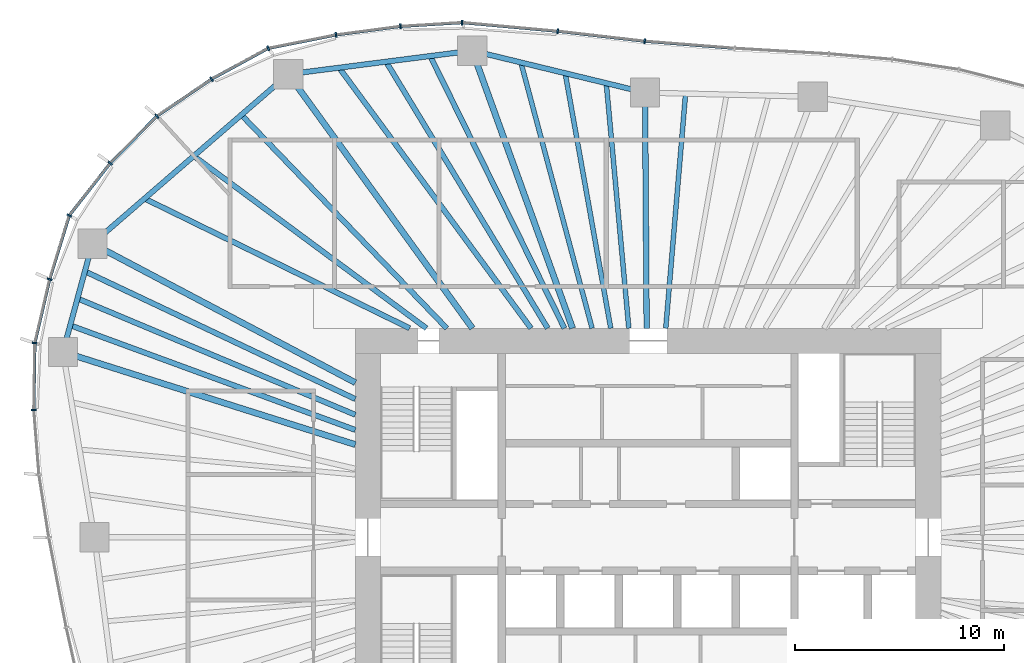
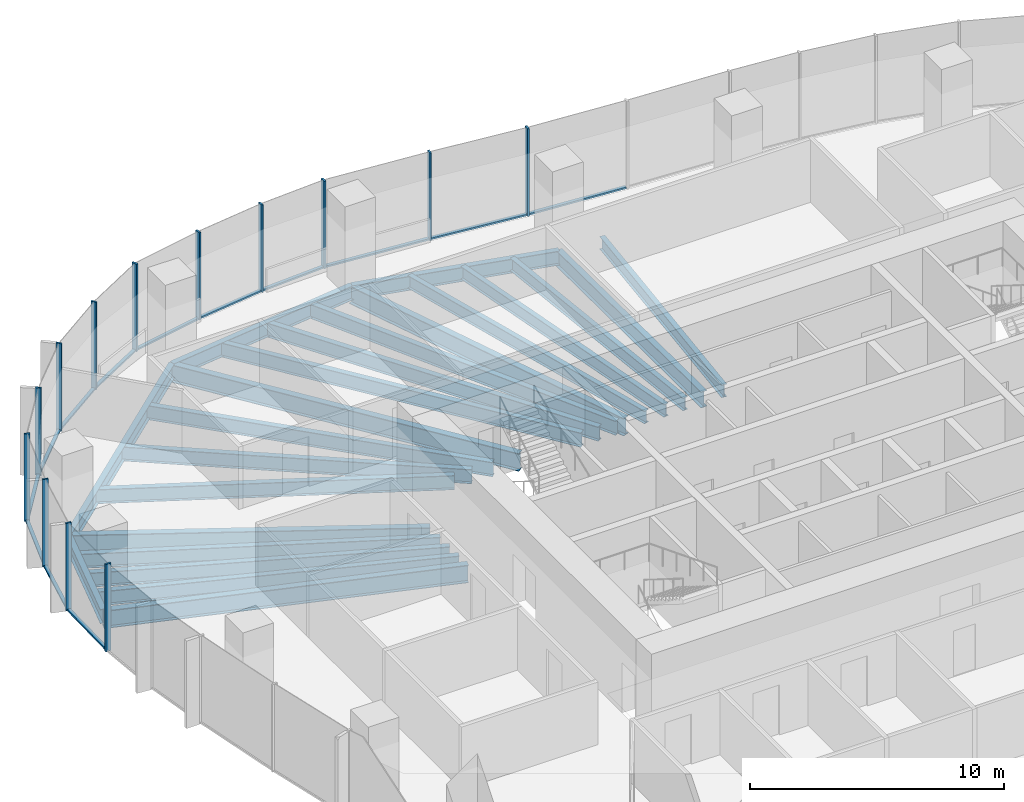
# One storey, part 5 of 18: 26 members, 22 beams, 6 elements without a shape of their own.
"""IFC4 building model written with IfcOpenShell, lengths in metres."""

from ifc_helpers import new_model, si_unit, direction, frame, origin, origin_2d, place, context, subcontext, project, spatial, rectangle, i_section, extrude, material, material_profile, profile_set, type_object, element, aggregate, save


model = new_model("IFC4")

# Units and contexts
model_context = context("Model", 3, precision=1e-05, world=origin(), true_north=direction((0.0, 1.0)))
body_context = subcontext(model_context, "Body", "Model", "MODEL_VIEW")
ifc_project = project(units=[si_unit("LENGTHUNIT", "METRE"), si_unit("AREAUNIT", "SQUARE_METRE"), si_unit("VOLUMEUNIT", "CUBIC_METRE"), si_unit("PLANEANGLEUNIT", "RADIAN"), si_unit("MASSUNIT", "GRAM", prefix="KILO")], contexts=[model_context])

# Site, building, storey
site_placement = place(None, origin())
site = spatial("IfcSite", under=ifc_project, at=site_placement, CompositionType="ELEMENT")
building_placement = place(site_placement, origin())
building = spatial("IfcBuilding", under=site, at=building_placement, Name="Ghaith Harvest Tower", CompositionType="ELEMENT")
storey_placement = place(building_placement, frame((0.0, 0.0, 176.39990234375)))
storey = spatial("IfcBuildingStorey", under=building, at=storey_placement, Name="L38", CompositionType="ELEMENT", Elevation=176.39990234375)

# Curtain wall, members
ifc_material_1 = material(Name="Black anodised aluminium and fritted glass", Category="aluminium")
curtain_wall_type = type_object("IfcCurtainWallType", Name="CW-L CURTAIN WALL", PredefinedType="NOTDEFINED", material=ifc_material_1)
curtain_wall_1_placement = place(storey_placement, origin())
curtain_wall_1 = element("IfcCurtainWall", 1, at=curtain_wall_1_placement, inside=storey, type_object=curtain_wall_type, Name="Curtain wall CW-L bay 06 L38", PredefinedType="NOTDEFINED")
ifc_material_2 = material(Name="Aluminium, black anodised", Category="aluminium")
ifc_material_profile_1 = material_profile(ifc_material_2, rectangle(XDim=0.080078125, YDim=0.239990234375, at=origin_2d()), Name="CW-L MULLION 80x240")
ifc_profile_set_1 = profile_set([ifc_material_profile_1], Name="Aluminium, black anodised")
member_type_1 = type_object("IfcMemberType", Name="CW-L MULLION 80x240", PredefinedType="MULLION", material=ifc_profile_set_1)
member_1_placement = place(storey_placement, frame((-0.162353515625, 23.729736328125, 0.0), z_axis=(0.0, 0.0, 1.0), x_axis=(-0.995388088953, 0.095929934691, 0.0)))
member_1 = element("IfcMember", 2, at=member_1_placement, type_object=member_type_1, Name="CW-L mullion 1 bay 06 L38", PredefinedType="MULLION", context=body_context, shape_type="SweptSolid", body=[
    extrude(rectangle(XDim=0.080078125, YDim=0.239990234375, at=origin_2d()), origin(), (0.0, 0.0, 1.0), 4.2001953125),
])
member_2_placement = place(storey_placement, frame((-4.322998046875, 24.207275390625, 0.0), z_axis=(0.0, 0.0, 1.0), x_axis=(-0.994830371571, 0.101550636625, 0.0)))
member_2 = element("IfcMember", 3, at=member_2_placement, type_object=member_type_1, Name="CW-L mullion 2 bay 06 L38", PredefinedType="MULLION", context=body_context, shape_type="SweptSolid", body=[
    extrude(rectangle(XDim=0.080078125, YDim=0.239990234375, at=origin_2d()), origin(), (0.0, 0.0, 1.0), 4.2001953125),
])

curtain_wall_2_placement = place(storey_placement, origin())
curtain_wall_2 = element("IfcCurtainWall", 4, at=curtain_wall_2_placement, inside=storey, type_object=curtain_wall_type, Name="Curtain wall CW-L bay 07 L38", PredefinedType="NOTDEFINED")
member_3_placement = place(storey_placement, frame((-8.892578125, 24.620849609375, 0.0), z_axis=(0.0, 0.0, 1.0), x_axis=(-0.999522209385, 0.030908784286, 0.0)))
member_3 = element("IfcMember", 5, at=member_3_placement, type_object=member_type_1, Name="CW-L mullion 1 bay 07 L38", PredefinedType="MULLION", context=body_context, shape_type="SweptSolid", body=[
    extrude(rectangle(XDim=0.080078125, YDim=0.239990234375, at=origin_2d()), origin(), (0.0, 0.0, 1.0), 4.2001953125),
])
member_4_placement = place(storey_placement, frame((-11.841064453125, 24.439697265625, 0.0), z_axis=(0.0, 0.0, 1.0), x_axis=(-0.995237520168, -0.097479630949, 0.0)))
member_4 = element("IfcMember", 6, at=member_4_placement, type_object=member_type_1, Name="CW-L mullion 2 bay 07 L38", PredefinedType="MULLION", context=body_context, shape_type="SweptSolid", body=[
    extrude(rectangle(XDim=0.080078125, YDim=0.239990234375, at=origin_2d()), origin(), (0.0, 0.0, 1.0), 4.2001953125),
])
member_5_placement = place(storey_placement, frame((-14.923828125, 24.030029296875, 0.0), z_axis=(0.0, 0.0, 1.0), x_axis=(-0.986494514812, -0.163794298578, 0.0)))
member_5 = element("IfcMember", 7, at=member_5_placement, type_object=member_type_1, Name="CW-L mullion 3 bay 07 L38", PredefinedType="MULLION", context=body_context, shape_type="SweptSolid", body=[
    extrude(rectangle(XDim=0.080078125, YDim=0.239990234375, at=origin_2d()), origin(), (0.0, 0.0, 1.0), 4.2001953125),
])

curtain_wall_3_placement = place(storey_placement, origin())
curtain_wall_3 = element("IfcCurtainWall", 8, at=curtain_wall_3_placement, inside=storey, type_object=curtain_wall_type, Name="Curtain wall CW-L bay 08 L38", PredefinedType="NOTDEFINED")
member_6_placement = place(storey_placement, frame((-18.165283203125, 23.3896484375, 0.0), z_axis=(0.0, 0.0, 1.0), x_axis=(-0.942103541202, -0.335322110298, 0.0)))
member_6 = element("IfcMember", 9, at=member_6_placement, type_object=member_type_1, Name="CW-L mullion 1 bay 08 L38", PredefinedType="MULLION", context=body_context, shape_type="SweptSolid", body=[
    extrude(rectangle(XDim=0.080078125, YDim=0.239990234375, at=origin_2d()), origin(), (0.0, 0.0, 1.0), 4.2001953125),
])
member_7_placement = place(storey_placement, frame((-20.87548828125, 21.91162109375, 0.0), z_axis=(0.0, 0.0, 1.0), x_axis=(-0.853515864435, -0.521066856707, 0.0)))
member_7 = element("IfcMember", 10, at=member_7_placement, type_object=member_type_1, Name="CW-L mullion 2 bay 08 L38", PredefinedType="MULLION", context=body_context, shape_type="SweptSolid", body=[
    extrude(rectangle(XDim=0.080078125, YDim=0.239990234375, at=origin_2d()), origin(), (0.0, 0.0, 1.0), 4.2001953125),
])
member_8_placement = place(storey_placement, frame((-23.489501953125, 20.13916015625, 0.0), z_axis=(0.0, 0.0, 1.0), x_axis=(-0.769682554376, -0.638426789451, 0.0)))
member_8 = element("IfcMember", 11, at=member_8_placement, type_object=member_type_1, Name="CW-L mullion 3 bay 08 L38", PredefinedType="MULLION", context=body_context, shape_type="SweptSolid", body=[
    extrude(rectangle(XDim=0.080078125, YDim=0.239990234375, at=origin_2d()), origin(), (0.0, 0.0, 1.0), 4.2001953125),
])

curtain_wall_4_placement = place(storey_placement, origin())
curtain_wall_4 = element("IfcCurtainWall", 12, at=curtain_wall_4_placement, inside=storey, type_object=curtain_wall_type, Name="Curtain wall CW-L bay 09 L38", PredefinedType="NOTDEFINED")
member_9_placement = place(storey_placement, frame((-25.718017578125, 17.894775390625, 0.0), z_axis=(0.0, 0.0, 1.0), x_axis=(-0.661903840688, -0.749588757708, 0.0)))
member_9 = element("IfcMember", 13, at=member_9_placement, type_object=member_type_1, Name="CW-L mullion 1 bay 09 L38", PredefinedType="MULLION", context=body_context, shape_type="SweptSolid", body=[
    extrude(rectangle(XDim=0.080078125, YDim=0.239990234375, at=origin_2d()), origin(), (0.0, 0.0, 1.0), 4.2001953125),
])
member_10_placement = place(storey_placement, frame((-27.67919921875, 15.39453125, 0.0), z_axis=(0.0, 0.0, 1.0), x_axis=(-0.462889784298, -0.886415843491, 0.0)))
member_10 = element("IfcMember", 14, at=member_10_placement, type_object=member_type_1, Name="CW-L mullion 2 bay 09 L38", PredefinedType="MULLION", context=body_context, shape_type="SweptSolid", body=[
    extrude(rectangle(XDim=0.080078125, YDim=0.239990234375, at=origin_2d()), origin(), (0.0, 0.0, 1.0), 4.2001953125),
])
member_11_placement = place(storey_placement, frame((-28.61669921875, 12.343994140625, 0.0), z_axis=(0.0, 0.0, 1.0), x_axis=(-0.260727312416, -0.965412486226, 0.0)))
member_11 = element("IfcMember", 15, at=member_11_placement, type_object=member_type_1, Name="CW-L mullion 3 bay 09 L38", PredefinedType="MULLION", context=body_context, shape_type="SweptSolid", body=[
    extrude(rectangle(XDim=0.080078125, YDim=0.239990234375, at=origin_2d()), origin(), (0.0, 0.0, 1.0), 4.2001953125),
])

curtain_wall_5_placement = place(storey_placement, origin())
curtain_wall_5 = element("IfcCurtainWall", 16, at=curtain_wall_5_placement, inside=storey, type_object=curtain_wall_type, Name="Curtain wall CW-L bay 10 L38", PredefinedType="NOTDEFINED")
member_12_placement = place(storey_placement, frame((-29.32666015625, 9.294189453125, 0.0), z_axis=(0.0, 0.0, 1.0), x_axis=(-0.120932140225, -0.99266077663, 0.0)))
member_12 = element("IfcMember", 17, at=member_12_placement, type_object=member_type_1, Name="CW-L mullion 1 bay 10 L38", PredefinedType="MULLION", context=body_context, shape_type="SweptSolid", body=[
    extrude(rectangle(XDim=0.080078125, YDim=0.239990234375, at=origin_2d()), origin(), (0.0, 0.0, 1.0), 4.2001953125),
])
member_13_placement = place(storey_placement, frame((-29.3779296875, 6.09619140625, 0.0), z_axis=(0.0, 0.0, 1.0), x_axis=(0.031027769448, -0.999518522851, 0.0)))
member_13 = element("IfcMember", 18, at=member_13_placement, type_object=member_type_1, Name="CW-L mullion 2 bay 10 L38", PredefinedType="MULLION", context=body_context, shape_type="SweptSolid", body=[
    extrude(rectangle(XDim=0.080078125, YDim=0.239990234375, at=origin_2d()), origin(), (0.0, 0.0, 1.0), 4.2001953125),
])

# Curtain wall, member
curtain_wall_6_placement = place(storey_placement, origin())
curtain_wall_6 = element("IfcCurtainWall", 19, at=curtain_wall_6_placement, inside=storey, type_object=curtain_wall_type, Name="Curtain wall CW-L bay 05 L38", PredefinedType="NOTDEFINED")
ifc_material_3 = material(Name="Aluminium, black anodised", Category="aluminium")
ifc_material_profile_2 = material_profile(ifc_material_3, rectangle(XDim=0.14990234375, YDim=0.080078125, at=origin_2d()), Name="CW-L TRANSOM 150x80")
ifc_profile_set_2 = profile_set([ifc_material_profile_2], Name="Aluminium, black anodised")
member_type_2 = type_object("IfcMemberType", Name="CW-L TRANSOM 150x80", PredefinedType="USERDEFINED", material=ifc_profile_set_2)
member_14_placement = place(storey_placement, frame((4.106689453125, 23.39404296875, 0.0400390625), z_axis=(-0.996923406046, 0.078381901463, 0.0), x_axis=(-0.078381901463, -0.996923406046, 0.0)))
member_14 = element("IfcMember", 20, at=member_14_placement, type_object=member_type_2, Name="CW-L transom 2 bay 05 L38", ObjectType="TRANSOM", PredefinedType="USERDEFINED", context=body_context, shape_type="SweptSolid", body=[
    extrude(rectangle(XDim=0.14990234375, YDim=0.080078125, at=origin_2d()), origin(), (0.0, 0.0, 1.0), 4.2421875),
])
aggregate(curtain_wall_6, [member_14])

# Member
member_15_placement = place(storey_placement, frame((-0.2021484375, 23.734130859375, 0.0400390625), z_axis=(-0.993474883942, 0.114051106861, 0.0), x_axis=(-0.114051106861, -0.993474883942, 0.0)))
member_15 = element("IfcMember", 21, at=member_15_placement, type_object=member_type_2, Name="CW-L transom 1 bay 06 L38", ObjectType="TRANSOM", PredefinedType="USERDEFINED", context=body_context, shape_type="SweptSolid", body=[
    extrude(rectangle(XDim=0.14990234375, YDim=0.080078125, at=origin_2d()), origin(), (0.0, 0.0, 1.0), 4.10791015625),
])

member_16_placement = place(storey_placement, frame((-4.36279296875, 24.210693359375, 0.0400390625), z_axis=(-0.995926431676, 0.090169521954, 0.0), x_axis=(-0.090169521954, -0.995926431676, 0.0)))
member_16 = element("IfcMember", 22, at=member_16_placement, type_object=member_type_2, Name="CW-L transom 2 bay 06 L38", ObjectType="TRANSOM", PredefinedType="USERDEFINED", context=body_context, shape_type="SweptSolid", body=[
    extrude(rectangle(XDim=0.14990234375, YDim=0.080078125, at=origin_2d()), origin(), (0.0, 0.0, 1.0), 4.508056640625),
])

aggregate(curtain_wall_1, [member_1, member_15, member_2, member_16])

member_17_placement = place(storey_placement, frame((-8.932373046875, 24.618408203125, 0.0400390625), z_axis=(-0.998117793577, -0.061325933705, 0.0), x_axis=(0.061325933705, -0.998117793577, 0.0)))
member_17 = element("IfcMember", 23, at=member_17_placement, type_object=member_type_2, Name="CW-L transom 1 bay 07 L38", ObjectType="TRANSOM", PredefinedType="USERDEFINED", context=body_context, shape_type="SweptSolid", body=[
    extrude(rectangle(XDim=0.14990234375, YDim=0.080078125, at=origin_2d()), origin(), (0.0, 0.0, 1.0), 2.874267578125),
])

member_18_placement = place(storey_placement, frame((-11.880859375, 24.434326171875, 0.0400390625), z_axis=(-0.991293929443, -0.131667556553, 0.0), x_axis=(0.131667556553, -0.991293929443, 0.0)))
member_18 = element("IfcMember", 24, at=member_18_placement, type_object=member_type_2, Name="CW-L transom 2 bay 07 L38", ObjectType="TRANSOM", PredefinedType="USERDEFINED", context=body_context, shape_type="SweptSolid", body=[
    extrude(rectangle(XDim=0.14990234375, YDim=0.080078125, at=origin_2d()), origin(), (0.0, 0.0, 1.0), 3.02978515625),
])

member_19_placement = place(storey_placement, frame((-14.963134765625, 24.022216796875, 0.0400390625), z_axis=(-0.98104391994, -0.19378551842, 0.0), x_axis=(0.19378551842, -0.98104391994, 0.0)))
member_19 = element("IfcMember", 25, at=member_19_placement, type_object=member_type_2, Name="CW-L transom 3 bay 07 L38", ObjectType="TRANSOM", PredefinedType="USERDEFINED", context=body_context, shape_type="SweptSolid", body=[
    extrude(rectangle(XDim=0.14990234375, YDim=0.080078125, at=origin_2d()), origin(), (0.0, 0.0, 1.0), 3.223876953125),
])

aggregate(curtain_wall_2, [member_3, member_17, member_4, member_18, member_5, member_19])

member_20_placement = place(storey_placement, frame((-18.200439453125, 23.37060546875, 0.0400390625), z_axis=(-0.877929702377, -0.478789554695, 0.0), x_axis=(0.478789554695, -0.877929702377, 0.0)))
member_20 = element("IfcMember", 26, at=member_20_placement, type_object=member_type_2, Name="CW-L transom 1 bay 08 L38", ObjectType="TRANSOM", PredefinedType="USERDEFINED", context=body_context, shape_type="SweptSolid", body=[
    extrude(rectangle(XDim=0.14990234375, YDim=0.080078125, at=origin_2d()), origin(), (0.0, 0.0, 1.0), 3.0068359375),
])

member_21_placement = place(storey_placement, frame((-20.908447265625, 21.88916015625, 0.0400390625), z_axis=(-0.827681025079, -0.561198824593, 0.0), x_axis=(0.561198824593, -0.827681025079, 0.0)))
member_21 = element("IfcMember", 27, at=member_21_placement, type_object=member_type_2, Name="CW-L transom 2 bay 08 L38", ObjectType="TRANSOM", PredefinedType="USERDEFINED", context=body_context, shape_type="SweptSolid", body=[
    extrude(rectangle(XDim=0.14990234375, YDim=0.080078125, at=origin_2d()), origin(), (0.0, 0.0, 1.0), 3.078369140625),
])

member_22_placement = place(storey_placement, frame((-23.517578125, 20.11083984375, 0.0400390625), z_axis=(-0.704647577514, -0.709557461735, 0.0), x_axis=(0.709557461735, -0.704647577514, 0.0)))
member_22 = element("IfcMember", 28, at=member_22_placement, type_object=member_type_2, Name="CW-L transom 3 bay 08 L38", ObjectType="TRANSOM", PredefinedType="USERDEFINED", context=body_context, shape_type="SweptSolid", body=[
    extrude(rectangle(XDim=0.14990234375, YDim=0.080078125, at=origin_2d()), origin(), (0.0, 0.0, 1.0), 3.0830078125),
])

aggregate(curtain_wall_3, [member_6, member_20, member_7, member_21, member_8, member_22])

member_23_placement = place(storey_placement, frame((-25.74267578125, 17.86328125, 0.0400390625), z_axis=(-0.617198298797, -0.786807638474, 0.0), x_axis=(0.786807638474, -0.617198298797, 0.0)))
member_23 = element("IfcMember", 29, at=member_23_placement, type_object=member_type_2, Name="CW-L transom 1 bay 09 L38", ObjectType="TRANSOM", PredefinedType="USERDEFINED", context=body_context, shape_type="SweptSolid", body=[
    extrude(rectangle(XDim=0.14990234375, YDim=0.080078125, at=origin_2d()), origin(), (0.0, 0.0, 1.0), 3.09765625),
])

member_24_placement = place(storey_placement, frame((-27.69091796875, 15.356201171875, 0.0400390625), z_axis=(-0.293777058804, -0.955873966441, 0.0), x_axis=(0.955873966441, -0.293777058804, 0.0)))
member_24 = element("IfcMember", 30, at=member_24_placement, type_object=member_type_2, Name="CW-L transom 2 bay 09 L38", ObjectType="TRANSOM", PredefinedType="USERDEFINED", context=body_context, shape_type="SweptSolid", body=[
    extrude(rectangle(XDim=0.14990234375, YDim=0.080078125, at=origin_2d()), origin(), (0.0, 0.0, 1.0), 3.111328125),
])

member_25_placement = place(storey_placement, frame((-28.6259765625, 12.304931640625, 0.0400390625), z_axis=(-0.226670598607, -0.973971477882, 0.0), x_axis=(0.973971477882, -0.226670598607, 0.0)))
member_25 = element("IfcMember", 31, at=member_25_placement, type_object=member_type_2, Name="CW-L transom 3 bay 09 L38", ObjectType="TRANSOM", PredefinedType="USERDEFINED", context=body_context, shape_type="SweptSolid", body=[
    extrude(rectangle(XDim=0.14990234375, YDim=0.080078125, at=origin_2d()), origin(), (0.0, 0.0, 1.0), 3.05126953125),
])

aggregate(curtain_wall_4, [member_9, member_23, member_10, member_24, member_11, member_25])

member_26_placement = place(storey_placement, frame((-29.327392578125, 9.254150390625, 0.0400390625), z_axis=(-0.015971652868, -0.999872445017, 0.0), x_axis=(0.999872445017, -0.015971652868, 0.0)))
member_26 = element("IfcMember", 32, at=member_26_placement, type_object=member_type_2, Name="CW-L transom 1 bay 10 L38", ObjectType="TRANSOM", PredefinedType="USERDEFINED", context=body_context, shape_type="SweptSolid", body=[
    extrude(rectangle(XDim=0.14990234375, YDim=0.080078125, at=origin_2d()), origin(), (0.0, 0.0, 1.0), 3.118408203125),
])

aggregate(curtain_wall_5, [member_12, member_26, member_13])

# Beams
ifc_material_4 = material(Name="Steel ASTM A992 Grade 50", Category="steel")
ifc_material_profile_3 = material_profile(ifc_material_4, i_section(OverallWidth=0.25390625, OverallDepth=0.68408203125, WebThickness=0.012451171875, FlangeThickness=0.018798828125, at=origin_2d()), Name="W690X140")
ifc_profile_set_3 = profile_set([ifc_material_profile_3], Name="Steel ASTM A992 Grade 50")
beam_type_1 = type_object("IfcBeamType", Name="E690-140 W690X140", PredefinedType="SPANDREL", material=ifc_profile_set_3)
beam_1_placement = place(storey_placement, frame((-0.14599609375, 21.27099609375, -0.511962890625), z_axis=(-0.971790293477, 0.235846614358, 0.0), x_axis=(-0.235846614358, -0.971790293477, 0.0)))
element("IfcBeam", 33, at=beam_1_placement, inside=storey, type_object=beam_type_1, Name="Edge beam E06 L38", PredefinedType="SPANDREL", context=body_context, shape_type="SweptSolid", body=[
    extrude(i_section(OverallWidth=0.25390625, OverallDepth=0.68408203125, WebThickness=0.012451171875, FlangeThickness=0.018798828125, at=origin_2d()), origin(), (0.0, 0.0, 1.0), 8.500732421875),
])
beam_2_placement = place(storey_placement, frame((-8.406982421875, 23.27587890625, -0.511962890625), z_axis=(-0.991904090065, -0.126989275577, 0.0), x_axis=(0.126989275577, -0.991904090065, 0.0)))
element("IfcBeam", 34, at=beam_2_placement, inside=storey, type_object=beam_type_1, Name="Edge beam E07 L38", PredefinedType="SPANDREL", context=body_context, shape_type="SweptSolid", body=[
    extrude(i_section(OverallWidth=0.25390625, OverallDepth=0.68408203125, WebThickness=0.012451171875, FlangeThickness=0.018798828125, at=origin_2d()), origin(), (0.0, 0.0, 1.0), 8.86669921875),
])
beam_3_placement = place(storey_placement, frame((-17.201904296875, 22.14990234375, -0.511962890625), z_axis=(-0.756392158274, -0.654118416574, 0.0), x_axis=(0.654118416574, -0.756392158274, 0.0)))
element("IfcBeam", 35, at=beam_3_placement, inside=storey, type_object=beam_type_1, Name="Edge beam E08 L38", PredefinedType="SPANDREL", context=body_context, shape_type="SweptSolid", body=[
    extrude(i_section(OverallWidth=0.25390625, OverallDepth=0.68408203125, WebThickness=0.012451171875, FlangeThickness=0.018798828125, at=origin_2d()), origin(), (0.0, 0.0, 1.0), 12.38916015625),
])
beam_4_placement = place(storey_placement, frame((-26.572998046875, 14.0458984375, -0.511962890625), z_axis=(-0.262724740433, -0.964870825947, 0.0), x_axis=(0.964870825947, -0.262724740433, 0.0)))
element("IfcBeam", 36, at=beam_4_placement, inside=storey, type_object=beam_type_1, Name="Edge beam E09 L38", PredefinedType="SPANDREL", context=body_context, shape_type="SweptSolid", body=[
    extrude(i_section(OverallWidth=0.25390625, OverallDepth=0.68408203125, WebThickness=0.012451171875, FlangeThickness=0.018798828125, at=origin_2d()), origin(), (0.0, 0.0, 1.0), 5.366455078125),
])
ifc_material_5 = material(Name="Steel ASTM A992 Grade 50", Category="steel")
ifc_material_profile_4 = material_profile(ifc_material_5, i_section(OverallWidth=0.26806640625, OverallDepth=0.77001953125, WebThickness=0.015625, FlangeThickness=0.025390625, at=origin_2d()), Name="W760X196")
ifc_profile_set_4 = profile_set([ifc_material_profile_4], Name="Steel ASTM A992 Grade 50")
beam_type_2 = type_object("IfcBeamType", Name="G760-196 W760X196", PredefinedType="BEAM", material=ifc_profile_set_4)
beam_5_placement = place(storey_placement, frame((-0.068359375, 10.0, -0.554931640625), z_axis=(-0.006888022705, 0.99997627729, 0.0), x_axis=(-0.99997627729, -0.006888022705, 0.0)))
element("IfcBeam", 37, at=beam_5_placement, inside=storey, type_object=beam_type_2, Name="Radial girder G06 L38", PredefinedType="BEAM", context=body_context, shape_type="SweptSolid", body=[
    extrude(i_section(OverallWidth=0.26806640625, OverallDepth=0.77001953125, WebThickness=0.015625, FlangeThickness=0.025390625, at=origin_2d()), origin(), (0.0, 0.0, 1.0), 11.271240234375),
])
ifc_material_6 = material(Name="Steel ASTM A992 Grade 50", Category="steel")
ifc_material_profile_5 = material_profile(ifc_material_6, i_section(OverallWidth=0.2939453125, OverallDepth=0.85107421875, WebThickness=0.01611328125, FlangeThickness=0.02685546875, at=origin_2d()), Name="W840X226")
ifc_profile_set_5 = profile_set([ifc_material_profile_5], Name="Steel ASTM A992 Grade 50")
beam_type_3 = type_object("IfcBeamType", Name="G840-226 W840X226", PredefinedType="BEAM", material=ifc_profile_set_5)
beam_6_placement = place(storey_placement, frame((-3.61181640625, 10.0, -0.595458984375), z_axis=(-0.339713316819, 0.940529033245, 0.0), x_axis=(-0.940529033245, -0.339713316819, 0.0)))
element("IfcBeam", 38, at=beam_6_placement, inside=storey, type_object=beam_type_3, Name="Radial girder G07 L38", PredefinedType="BEAM", context=body_context, shape_type="SweptSolid", body=[
    extrude(i_section(OverallWidth=0.2939453125, OverallDepth=0.85107421875, WebThickness=0.01611328125, FlangeThickness=0.02685546875, at=origin_2d()), origin(), (0.0, 0.0, 1.0), 14.115234375),
])
beam_7_placement = place(storey_placement, frame((-8.39990234375, 10.0, -0.595458984375), z_axis=(-0.586675813287, 0.809821887889, 0.0), x_axis=(-0.809821887889, -0.586675813287, 0.0)))
element("IfcBeam", 39, at=beam_7_placement, inside=storey, type_object=beam_type_3, Name="Radial girder G08 L38", PredefinedType="BEAM", context=body_context, shape_type="SweptSolid", body=[
    extrude(i_section(OverallWidth=0.2939453125, OverallDepth=0.85107421875, WebThickness=0.01611328125, FlangeThickness=0.02685546875, at=origin_2d()), origin(), (0.0, 0.0, 1.0), 15.003173828125),
])
beam_8_placement = place(storey_placement, frame((-14.0, 7.39990234375, -0.595458984375), z_axis=(-0.88408713845, 0.467322085533, 0.0), x_axis=(-0.467322085533, -0.88408713845, 0.0)))
element("IfcBeam", 40, at=beam_8_placement, inside=storey, type_object=beam_type_3, Name="Radial girder G09 L38", PredefinedType="BEAM", context=body_context, shape_type="SweptSolid", body=[
    extrude(i_section(OverallWidth=0.2939453125, OverallDepth=0.85107421875, WebThickness=0.01611328125, FlangeThickness=0.02685546875, at=origin_2d()), origin(), (0.0, 0.0, 1.0), 14.221435546875),
])
beam_9_placement = place(storey_placement, frame((-14.0, 4.43701171875, -0.595458984375), z_axis=(-0.953283605796, 0.302076756671, 0.0), x_axis=(-0.302076756671, -0.953283605796, 0.0)))
element("IfcBeam", 41, at=beam_9_placement, inside=storey, type_object=beam_type_3, Name="Radial girder G10 L38", PredefinedType="BEAM", context=body_context, shape_type="SweptSolid", body=[
    extrude(i_section(OverallWidth=0.2939453125, OverallDepth=0.85107421875, WebThickness=0.01611328125, FlangeThickness=0.02685546875, at=origin_2d()), origin(), (0.0, 0.0, 1.0), 14.668212890625),
])
ifc_material_7 = material(Name="Steel ASTM A992 Grade 50", Category="steel")
ifc_material_profile_6 = material_profile(ifc_material_7, i_section(OverallWidth=0.22900390625, OverallDepth=0.612060546875, WebThickness=0.011962890625, FlangeThickness=0.01953125, at=origin_2d()), Name="W610X125")
ifc_profile_set_6 = profile_set([ifc_material_profile_6], Name="Steel ASTM A992 Grade 50")
beam_type_4 = type_object("IfcBeamType", Name="J610-125 W610X125", PredefinedType="JOIST", material=ifc_profile_set_6)
beam_10_placement = place(storey_placement, frame((0.844970703125, 10.0, -0.475830078125), z_axis=(0.084213263804, 0.996447753873, 0.0), x_axis=(-0.996447753873, 0.084213263804, 0.0)))
element("IfcBeam", 42, at=beam_10_placement, inside=storey, type_object=beam_type_4, Name="Joist J05.3 L38", PredefinedType="JOIST", context=body_context, shape_type="SweptSolid", body=[
    extrude(i_section(OverallWidth=0.22900390625, OverallDepth=0.612060546875, WebThickness=0.011962890625, FlangeThickness=0.01953125, at=origin_2d()), origin(), (0.0, 0.0, 1.0), 11.262939453125),
])
beam_11_placement = place(storey_placement, frame((-0.92041015625, 10.0, -0.475830078125), z_axis=(-0.091659676302, 0.995790391468, 0.0), x_axis=(-0.995790391468, -0.091659676302, 0.0)))
element("IfcBeam", 43, at=beam_11_placement, inside=storey, type_object=beam_type_4, Name="Joist J06.1 L38", PredefinedType="JOIST", context=body_context, shape_type="SweptSolid", body=[
    extrude(i_section(OverallWidth=0.22900390625, OverallDepth=0.612060546875, WebThickness=0.011962890625, FlangeThickness=0.01953125, at=origin_2d()), origin(), (0.0, 0.0, 1.0), 11.770263671875),
])
beam_12_placement = place(storey_placement, frame((-1.785888671875, 10.0, -0.475830078125), z_axis=(-0.175794730188, 0.984426844838, 0.0), x_axis=(-0.984426844838, -0.175794730188, 0.0)))
element("IfcBeam", 44, at=beam_12_placement, inside=storey, type_object=beam_type_4, Name="Joist J06.2 L38", PredefinedType="JOIST", context=body_context, shape_type="SweptSolid", body=[
    extrude(i_section(OverallWidth=0.22900390625, OverallDepth=0.612060546875, WebThickness=0.011962890625, FlangeThickness=0.01953125, at=origin_2d()), origin(), (0.0, 0.0, 1.0), 12.390625),
])
beam_13_placement = place(storey_placement, frame((-2.677978515625, 10.0, -0.475830078125), z_axis=(-0.258692500157, 0.965959725021, 0.0), x_axis=(-0.965959725021, -0.258692500157, 0.0)))
element("IfcBeam", 45, at=beam_13_placement, inside=storey, type_object=beam_type_4, Name="Joist J06.3 L38", PredefinedType="JOIST", context=body_context, shape_type="SweptSolid", body=[
    extrude(i_section(OverallWidth=0.22900390625, OverallDepth=0.612060546875, WebThickness=0.011962890625, FlangeThickness=0.01953125, at=origin_2d()), origin(), (0.0, 0.0, 1.0), 13.15966796875),
])
ifc_material_8 = material(Name="Steel ASTM A992 Grade 50", Category="steel")
ifc_material_profile_7 = material_profile(ifc_material_8, i_section(OverallWidth=0.25390625, OverallDepth=0.68408203125, WebThickness=0.012451171875, FlangeThickness=0.018798828125, at=origin_2d()), Name="W690X140")
ifc_profile_set_7 = profile_set([ifc_material_profile_7], Name="Steel ASTM A992 Grade 50")
beam_type_5 = type_object("IfcBeamType", Name="J690-140 W690X140", PredefinedType="JOIST", material=ifc_profile_set_7)
beam_14_placement = place(storey_placement, frame((-4.0, 10.0, -0.511962890625), z_axis=(-0.442214455448, 0.896909346251, 0.0), x_axis=(-0.896909346251, -0.442214455448, 0.0)))
element("IfcBeam", 46, at=beam_14_placement, inside=storey, type_object=beam_type_5, Name="Joist J07.1 L38", PredefinedType="JOIST", context=body_context, shape_type="SweptSolid", body=[
    extrude(i_section(OverallWidth=0.25390625, OverallDepth=0.68408203125, WebThickness=0.012451171875, FlangeThickness=0.018798828125, at=origin_2d()), origin(), (0.0, 0.0, 1.0), 14.514892578125),
])
beam_15_placement = place(storey_placement, frame((-4.800048828125, 10.0, -0.511962890625), z_axis=(-0.51847337083, 0.855093774822, 0.0), x_axis=(-0.855093774822, -0.51847337083, 0.0)))
element("IfcBeam", 47, at=beam_15_placement, inside=storey, type_object=beam_type_5, Name="Joist J07.2 L38", PredefinedType="JOIST", context=body_context, shape_type="SweptSolid", body=[
    extrude(i_section(OverallWidth=0.25390625, OverallDepth=0.68408203125, WebThickness=0.012451171875, FlangeThickness=0.018798828125, at=origin_2d()), origin(), (0.0, 0.0, 1.0), 14.90869140625),
])
beam_16_placement = place(storey_placement, frame((-5.60009765625, 10.0, -0.511962890625), z_axis=(-0.592984827174, 0.805213632983, 0.0), x_axis=(-0.805213632983, -0.592984827174, 0.0)))
element("IfcBeam", 48, at=beam_16_placement, inside=storey, type_object=beam_type_5, Name="Joist J07.3 L38", PredefinedType="JOIST", context=body_context, shape_type="SweptSolid", body=[
    extrude(i_section(OverallWidth=0.25390625, OverallDepth=0.68408203125, WebThickness=0.012451171875, FlangeThickness=0.018798828125, at=origin_2d()), origin(), (0.0, 0.0, 1.0), 15.474609375),
])
beam_17_placement = place(storey_placement, frame((-9.626708984375, 10.0, -0.511962890625), z_axis=(-0.693535693616, 0.720422266231, 0.0), x_axis=(-0.720422266231, -0.693535693616, 0.0)))
element("IfcBeam", 49, at=beam_17_placement, inside=storey, type_object=beam_type_5, Name="Joist J08.1 L38", PredefinedType="JOIST", context=body_context, shape_type="SweptSolid", body=[
    extrude(i_section(OverallWidth=0.25390625, OverallDepth=0.68408203125, WebThickness=0.012451171875, FlangeThickness=0.018798828125, at=origin_2d()), origin(), (0.0, 0.0, 1.0), 14.16552734375),
])
beam_18_placement = place(storey_placement, frame((-10.60009765625, 10.0, -0.511962890625), z_axis=(-0.803663089107, 0.595084564752, 0.0), x_axis=(-0.595084564752, -0.803663089107, 0.0)))
element("IfcBeam", 50, at=beam_18_placement, inside=storey, type_object=beam_type_5, Name="Joist J08.2 L38", PredefinedType="JOIST", context=body_context, shape_type="SweptSolid", body=[
    extrude(i_section(OverallWidth=0.25390625, OverallDepth=0.68408203125, WebThickness=0.012451171875, FlangeThickness=0.018798828125, at=origin_2d()), origin(), (0.0, 0.0, 1.0), 13.843505859375),
])
beam_19_placement = place(storey_placement, frame((-11.39990234375, 10.0, -0.511962890625), z_axis=(-0.898274832354, 0.439434096946, 0.0), x_axis=(-0.439434096946, -0.898274832354, 0.0)))
element("IfcBeam", 51, at=beam_19_placement, inside=storey, type_object=beam_type_5, Name="Joist J08.3 L38", PredefinedType="JOIST", context=body_context, shape_type="SweptSolid", body=[
    extrude(i_section(OverallWidth=0.25390625, OverallDepth=0.68408203125, WebThickness=0.012451171875, FlangeThickness=0.018798828125, at=origin_2d()), origin(), (0.0, 0.0, 1.0), 14.114990234375),
])
beam_20_placement = place(storey_placement, frame((-14.0, 6.614990234375, -0.511962890625), z_axis=(-0.904153428261, 0.427207886354, 0.0), x_axis=(-0.427207886354, -0.904153428261, 0.0)))
element("IfcBeam", 52, at=beam_20_placement, inside=storey, type_object=beam_type_5, Name="Joist J09.1 L38", PredefinedType="JOIST", context=body_context, shape_type="SweptSolid", body=[
    extrude(i_section(OverallWidth=0.25390625, OverallDepth=0.68408203125, WebThickness=0.012451171875, FlangeThickness=0.018798828125, at=origin_2d()), origin(), (0.0, 0.0, 1.0), 14.303466796875),
])
beam_21_placement = place(storey_placement, frame((-14.0, 5.862548828125, -0.511962890625), z_axis=(-0.922385943167, 0.38626955853, 0.0), x_axis=(-0.38626955853, -0.922385943167, 0.0)))
element("IfcBeam", 53, at=beam_21_placement, inside=storey, type_object=beam_type_5, Name="Joist J09.2 L38", PredefinedType="JOIST", context=body_context, shape_type="SweptSolid", body=[
    extrude(i_section(OverallWidth=0.25390625, OverallDepth=0.68408203125, WebThickness=0.012451171875, FlangeThickness=0.018798828125, at=origin_2d()), origin(), (0.0, 0.0, 1.0), 14.404296875),
])
beam_22_placement = place(storey_placement, frame((-14.0, 5.137939453125, -0.511962890625), z_axis=(-0.93877541132, 0.344529718748, 0.0), x_axis=(-0.344529718748, -0.93877541132, 0.0)))
element("IfcBeam", 54, at=beam_22_placement, inside=storey, type_object=beam_type_5, Name="Joist J09.3 L38", PredefinedType="JOIST", context=body_context, shape_type="SweptSolid", body=[
    extrude(i_section(OverallWidth=0.25390625, OverallDepth=0.68408203125, WebThickness=0.012451171875, FlangeThickness=0.018798828125, at=origin_2d()), origin(), (0.0, 0.0, 1.0), 14.525390625),
])

save(model, "model.ifc")
